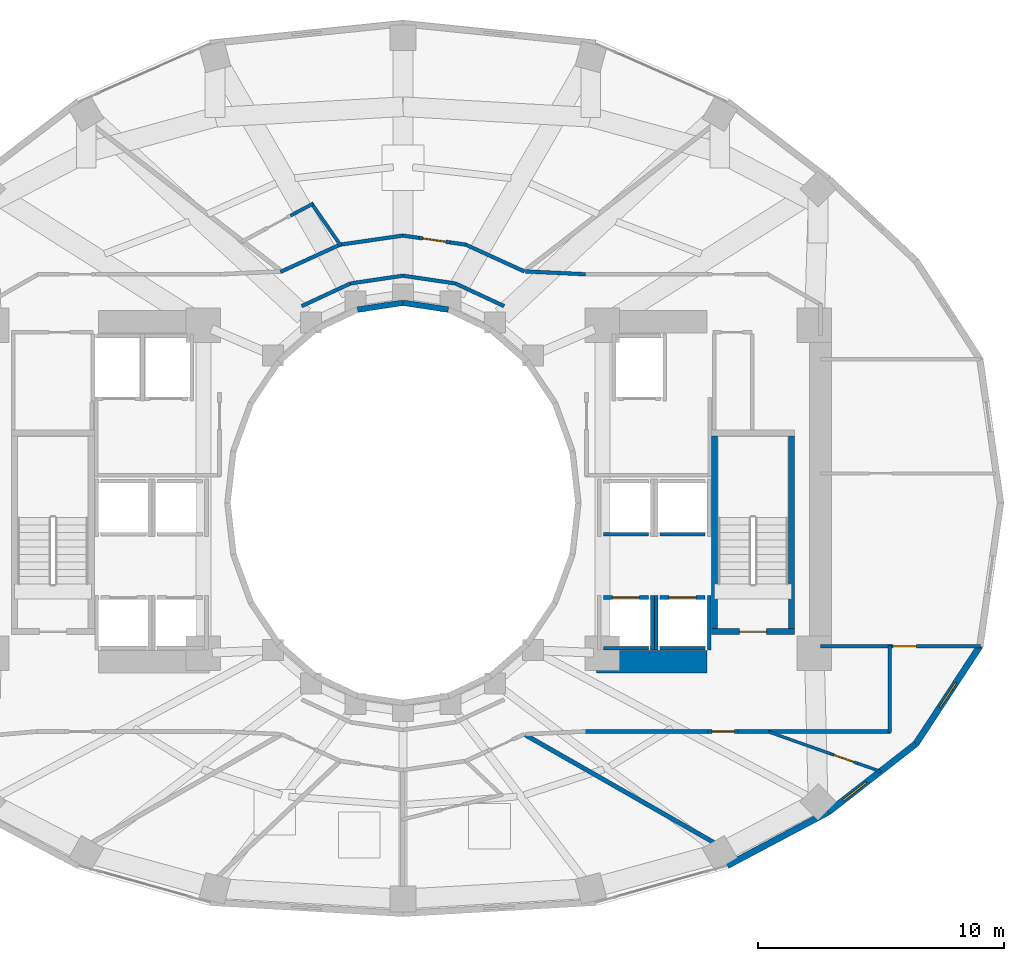
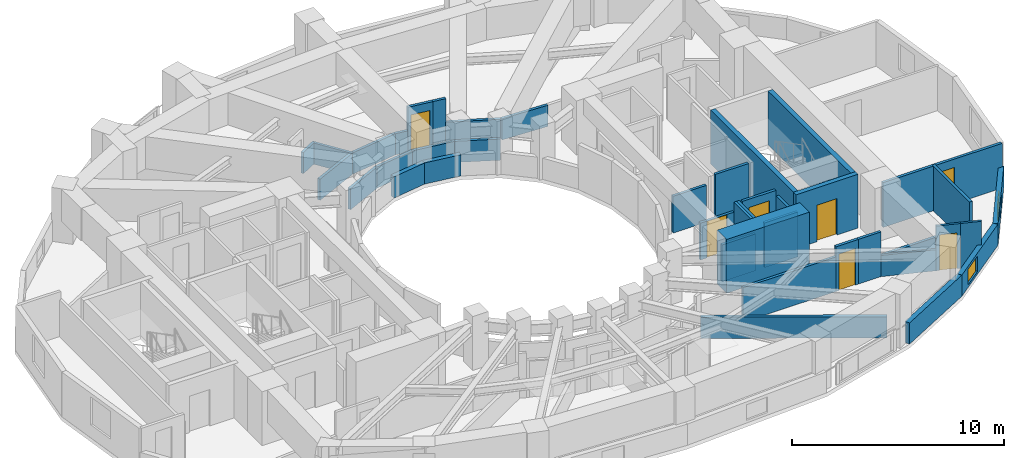
# One storey, part 11 of 16: 41 walls, 7 doors, 2 windows, 9 openings.
"""IFC4 building model written with IfcOpenShell, lengths in metres."""

from ifc_helpers import new_model, si_unit, direction, frame, frame_2d, origin, place, context, subcontext, project, spatial, rectangle, extrude, material, layer, layer_set, type_object, element, fill, save


model = new_model("IFC4")

# Units and contexts
model_context = context("Model", 3, precision=1e-05, world=origin(), true_north=direction((0.0, 1.0)))
body_context = subcontext(model_context, "Body", "Model", "MODEL_VIEW")
ifc_project = project(units=[si_unit("LENGTHUNIT", "METRE"), si_unit("AREAUNIT", "SQUARE_METRE"), si_unit("VOLUMEUNIT", "CUBIC_METRE"), si_unit("PLANEANGLEUNIT", "RADIAN"), si_unit("MASSUNIT", "GRAM", prefix="KILO")], contexts=[model_context])

# Site, building, storey
site_placement = place(None, origin())
site = spatial("IfcSite", under=ifc_project, at=site_placement, CompositionType="ELEMENT")
building_placement = place(site_placement, origin())
building = spatial("IfcBuilding", under=site, at=building_placement, Name="Solvane Sanctuary Tower", CompositionType="ELEMENT")
storey_placement = place(building_placement, frame((0.0, 0.0, 82.5)))
storey = spatial("IfcBuildingStorey", under=building, at=storey_placement, Name="L24", CompositionType="ELEMENT", Elevation=82.5)

# Walls
ifc_material_1 = material(Name="Concrete C70/85", Category="concrete")
ifc_layer_1 = layer(ifc_material_1, 0.89990234375, Name="Concrete C70/85")
ifc_layer_set_1 = layer_set([ifc_layer_1], Name="Concrete C70/85")
wall_type_1 = type_object("IfcWallType", Name="Wall W-CORE-900", PredefinedType="SHEAR", material=ifc_layer_set_1)
wall_1_placement = place(storey_placement, frame((39.85009765625, 16.550048828125, 0.0), z_axis=(0.0, 0.0, 1.0), x_axis=(1.0, 0.0, 0.0)))
element("IfcWall", 1, at=wall_1_placement, inside=storey, type_object=wall_type_1, Name="L24 Core Shear Wall EC-S", PredefinedType="SHEAR", context=body_context, shape_type="SweptSolid", body=[
    extrude(rectangle(XDim=4.5, YDim=0.89990234375, at=frame_2d((2.25, 0.0))), origin(), (0.0, 0.0, 1.0), 3.10009765625),
])
ifc_material_2 = material(Name="Acoustic Gypsum Partition Board")
ifc_layer_2 = layer(ifc_material_2, 0.14990234375, Name="Acoustic Gypsum Partition Board")
ifc_layer_set_2 = layer_set([ifc_layer_2], Name="Acoustic Gypsum Partition Board")
wall_type_2 = type_object("IfcWallType", Name="Wall W-CORR-150", PredefinedType="PARTITIONING", material=ifc_layer_set_2)
wall_2_placement = place(storey_placement, frame((36.110107421875, 30.98486328125, 0.0), z_axis=(0.0, 0.0, 1.0), x_axis=(-0.906943449489, 0.421252393975, 0.0)))
element("IfcWall", 2, at=wall_2_placement, inside=storey, type_object=wall_type_2, Name="L24 Light-Well Corridor Rim Wall N1", PredefinedType="PARTITIONING", context=body_context, shape_type="SweptSolid", body=[
    extrude(rectangle(XDim=2.18603515625, YDim=0.14990234375, at=frame_2d((1.093017578125, 0.0))), origin(), (0.0, 0.0, 1.0), 1.219970703125),
])
for number, where, z_axis, x_axis, name in (
    (3, (34.12744140625, 31.90576171875, 0.0), (0.0, 0.0, 1.0), (-0.989268584896, 0.146108408166, 0.0), "L24 Light-Well Corridor Rim Wall N2"),
    (4, (32.0, 32.219970703125, 0.0), (0.0, 0.0, 1.0), (-0.989268584896, -0.146108408166, 0.0), "L24 Light-Well Corridor Rim Wall N3"),
):
    element("IfcWall", number, at=place(storey_placement, frame(where, z_axis=z_axis, x_axis=x_axis)), inside=storey, type_object=wall_type_2, Name=name, PredefinedType="PARTITIONING", context=body_context, shape_type="SweptSolid", body=[
        extrude(rectangle(XDim=2.150634765625, YDim=0.14990234375, at=frame_2d((1.0751953125, 0.0))), origin(), (0.0, 0.0, 1.0), 1.219970703125),
    ])
wall_3_placement = place(storey_placement, frame((29.87255859375, 31.90576171875, 0.0), z_axis=(0.0, 0.0, 1.0), x_axis=(-0.906943449489, -0.421252393975, 0.0)))
element("IfcWall", 5, at=wall_3_placement, inside=storey, type_object=wall_type_2, Name="L24 Light-Well Corridor Rim Wall N4", PredefinedType="PARTITIONING", context=body_context, shape_type="SweptSolid", body=[
    extrude(rectangle(XDim=2.18603515625, YDim=0.14990234375, at=frame_2d((1.093017578125, 0.0))), origin(), (0.0, 0.0, 1.0), 1.219970703125),
])

# Wall, opening, door
wall_4_placement = place(storey_placement, frame((48.949951171875, 17.1748046875, 0.0), z_axis=(0.0, 0.0, 1.0), x_axis=(1.0, 0.0, 0.0)))
wall_4 = element("IfcWall", 6, at=wall_4_placement, inside=storey, type_object=wall_type_2, Name="L24 East Shoulder South Wall", PredefinedType="PARTITIONING", context=body_context, shape_type="SweptSolid", body=[
    extrude(rectangle(XDim=6.49169921875, YDim=0.14990234375, at=frame_2d((3.245849609375, 0.0))), origin(), (0.0, 0.0, 1.0), 2.574951171875),
])
opening_1_placement = place(wall_4_placement, frame((2.947509765625, 0.0, 0.0)))
opening_1 = element("IfcOpeningElement", 7, at=opening_1_placement, cuts=wall_4, Name="Opening D-L24-08", PredefinedType="OPENING", context=body_context, shape_type="SweptSolid", body=[
    extrude(rectangle(XDim=0.949951171875, YDim=2.10009765625, at=frame_2d((0.47509765625, 1.050048828125))), frame((0.0, 0.0849609375, 0.0), z_axis=(0.0, -1.0, 0.0), x_axis=(1.0, 0.0, 0.0)), (0.0, 0.0, 1.0), 0.169921875),
])
ifc_material_3 = material(Name="Engineered Tropical Hardwood", Category="wood")
door_type_1 = type_object("IfcDoorType", Name="Door D-ROOM-950", OperationType="NOTDEFINED", PredefinedType="DOOR", material=ifc_material_3)
door_1_placement = place(opening_1_placement, origin())
door_1 = element("IfcDoor", 8, at=door_1_placement, inside=storey, type_object=door_type_1, Name="L24 East Shoulder South Door", OperationType="SINGLE_SWING_LEFT", OverallHeight=2.10009765625, OverallWidth=0.949951171875, PredefinedType="DOOR", context=body_context, shape_type="SweptSolid", body=[
    extrude(rectangle(XDim=0.949951171875, YDim=2.10009765625, at=frame_2d((0.47509765625, 1.050048828125))), frame((0.0, 0.02490234375, 0.0), z_axis=(0.0, -1.0, 0.0), x_axis=(1.0, 0.0, 0.0)), (0.0, 0.0, 1.0), 0.050048828125),
])
fill(opening_1, door_1)

# Walls
wall_5_placement = place(storey_placement, frame((36.97998046875, 32.393798828125, 0.0), z_axis=(0.0, 0.0, 1.0), x_axis=(0.998877427952, -0.047369651964, 0.0)))
element("IfcWall", 9, at=wall_5_placement, inside=storey, type_object=wall_type_2, Name="L24 NE Corner Throat Wall", PredefinedType="PARTITIONING", context=body_context, shape_type="SweptSolid", body=[
    extrude(rectangle(XDim=2.4326171875, YDim=0.14990234375, at=frame_2d((1.21630859375, 0.0))), origin(), (0.0, 0.0, 1.0), 1.219970703125),
])
wall_6_placement = place(storey_placement, frame((51.760009765625, 13.679931640625, 0.0), z_axis=(0.0, 0.0, 1.0), x_axis=(0.0, 1.0, 0.0)))
element("IfcWall", 10, at=wall_6_placement, inside=storey, type_object=wall_type_2, Name="L24 SE Corner Closer 1", PredefinedType="PARTITIONING", context=body_context, shape_type="SweptSolid", body=[
    extrude(rectangle(XDim=3.534912109375, YDim=0.14990234375, at=frame_2d((1.767578125, 0.0))), origin(), (0.0, 0.0, 1.0), 2.574951171875),
])
wall_7_placement = place(storey_placement, frame((39.330078125, 13.719970703125, 0.0), z_axis=(0.0, 0.0, 1.0), x_axis=(1.0, 0.0, 0.0)))
element("IfcWall", 11, at=wall_7_placement, inside=storey, type_object=wall_type_2, Name="L24 SE Corner Corridor Wall", PredefinedType="PARTITIONING", context=body_context, shape_type="SweptSolid", body=[
    extrude(rectangle(XDim=5.059814453125, YDim=0.14990234375, at=frame_2d((2.52978515625, 0.0))), origin(), (0.0, 0.0, 1.0), 1.991943359375),
])

# Wall, opening, door
wall_8_placement = place(storey_placement, frame((44.389892578125, 13.719970703125, 0.0), z_axis=(0.0, 0.0, 1.0), x_axis=(1.0, 0.0, 0.0)))
wall_8 = element("IfcWall", 12, at=wall_8_placement, inside=storey, type_object=wall_type_2, Name="L24 SE Corner Corridor Wall", PredefinedType="PARTITIONING", context=body_context, shape_type="SweptSolid", body=[
    extrude(rectangle(XDim=1.22021484375, YDim=0.14990234375, at=frame_2d((0.610107421875, 0.0))), origin(), (0.0, 0.0, 1.0), 2.574951171875),
])
opening_2_placement = place(wall_8_placement, frame((0.159912109375, 0.0, 0.0)))
opening_2 = element("IfcOpeningElement", 13, at=opening_2_placement, cuts=wall_8, Name="Opening D-L24-15", PredefinedType="OPENING", context=body_context, shape_type="SweptSolid", body=[
    extrude(rectangle(XDim=0.89990234375, YDim=2.10009765625, at=frame_2d((0.449951171875, 1.050048828125))), frame((0.0, 0.0849609375, 0.0), z_axis=(0.0, -1.0, 0.0), x_axis=(1.0, 0.0, 0.0)), (0.0, 0.0, 1.0), 0.169921875),
])
door_type_2 = type_object("IfcDoorType", Name="Door D-WET-900", OperationType="NOTDEFINED", PredefinedType="DOOR", material=ifc_material_3)
door_2_placement = place(opening_2_placement, origin())
door_2 = element("IfcDoor", 14, at=door_2_placement, inside=storey, type_object=door_type_2, Name="L24 SE Corner Salon Door", OperationType="SINGLE_SWING_RIGHT", OverallHeight=2.10009765625, OverallWidth=0.89990234375, PredefinedType="DOOR", context=body_context, shape_type="SweptSolid", body=[
    extrude(rectangle(XDim=0.89990234375, YDim=2.10009765625, at=frame_2d((0.449951171875, 1.050048828125))), frame((0.0, 0.02490234375, 0.0), z_axis=(0.0, -1.0, 0.0), x_axis=(1.0, 0.0, 0.0)), (0.0, 0.0, 1.0), 0.050048828125),
])
fill(opening_2, door_2)

# Walls
wall_9_placement = place(storey_placement, frame((45.610107421875, 13.719970703125, 0.0), z_axis=(0.0, 0.0, 1.0), x_axis=(1.0, 0.0, 0.0)))
element("IfcWall", 15, at=wall_9_placement, inside=storey, type_object=wall_type_2, Name="L24 SE Corner Corridor Wall", PredefinedType="PARTITIONING", context=body_context, shape_type="SweptSolid", body=[
    extrude(rectangle(XDim=1.239990234375, YDim=0.14990234375, at=frame_2d((0.6201171875, 0.0))), origin(), (0.0, 0.0, 1.0), 2.574951171875),
])
wall_10_placement = place(storey_placement, frame((46.75, 13.719970703125, 0.0), z_axis=(0.0, 0.0, 1.0), x_axis=(1.0, 0.0, 0.0)))
element("IfcWall", 16, at=wall_10_placement, inside=storey, type_object=wall_type_2, Name="L24 SE Corner Wing Wall", PredefinedType="PARTITIONING", context=body_context, shape_type="SweptSolid", body=[
    extrude(rectangle(XDim=5.050048828125, YDim=0.14990234375, at=frame_2d((2.52490234375, 0.0))), origin(), (0.0, 0.0, 1.0), 1.219970703125),
])
wall_11_placement = place(storey_placement, frame((29.49609375, 33.501220703125, 0.0), z_axis=(0.0, 0.0, 1.0), x_axis=(-0.909730151902, -0.415200012909, 0.0)))
element("IfcWall", 17, at=wall_11_placement, inside=storey, type_object=wall_type_2, Name="L24 En-suite Inner Wall N1", PredefinedType="PARTITIONING", context=body_context, shape_type="SweptSolid", body=[
    extrude(rectangle(XDim=2.711181640625, YDim=0.14990234375, at=frame_2d((1.35546875, 0.0))), origin(), (0.0, 0.0, 1.0), 1.219970703125),
])
wall_12_placement = place(storey_placement, frame((36.930908203125, 32.392578125, 0.0), z_axis=(0.0, 0.0, 1.0), x_axis=(-0.909747571199, 0.415161843982, 0.0)))
element("IfcWall", 18, at=wall_12_placement, inside=storey, type_object=wall_type_2, Name="L24 Unit Corridor Wall N1", PredefinedType="PARTITIONING", context=body_context, shape_type="SweptSolid", body=[
    extrude(rectangle(XDim=2.625, YDim=0.14990234375, at=frame_2d((1.3125, 0.0))), origin(), (0.0, 0.0, 1.0), 1.219970703125),
])
wall_13_placement = place(storey_placement, frame((34.555908203125, 33.478271484375, 0.0), z_axis=(0.0, 0.0, 1.0), x_axis=(-0.989643848527, 0.143544603076, 0.0)))
element("IfcWall", 19, at=wall_13_placement, inside=storey, type_object=wall_type_2, Name="L24 Unit Corridor Wall N1", PredefinedType="PARTITIONING", context=body_context, shape_type="SweptSolid", body=[
    extrude(rectangle(XDim=0.659912109375, YDim=0.14990234375, at=frame_2d((0.330078125, 0.0))), origin(), (0.0, 0.0, 1.0), 2.574951171875),
])

# Wall, opening, door
wall_14_placement = place(storey_placement, frame((33.90283203125, 33.572998046875, 0.0), z_axis=(0.0, 0.0, 1.0), x_axis=(-0.989635669595, 0.143600980029, 0.0)))
wall_14 = element("IfcWall", 20, at=wall_14_placement, inside=storey, type_object=wall_type_2, Name="L24 Unit Corridor Wall N1", PredefinedType="PARTITIONING", context=body_context, shape_type="SweptSolid", body=[
    extrude(rectangle(XDim=1.27001953125, YDim=0.14990234375, at=frame_2d((0.635009765625, 0.0))), origin(), (0.0, 0.0, 1.0), 2.574951171875),
])
opening_3_placement = place(wall_14_placement, frame((0.159912109375, 0.0, 0.0)))
opening_3 = element("IfcOpeningElement", 21, at=opening_3_placement, cuts=wall_14, Name="Opening D-L24-17", PredefinedType="OPENING", context=body_context, shape_type="SweptSolid", body=[
    extrude(rectangle(XDim=0.949951171875, YDim=2.10009765625, at=frame_2d((0.47509765625, 1.050048828125))), frame((0.0, 0.0849609375, 0.0), z_axis=(0.0, -1.0, 0.0), x_axis=(1.0, 0.0, 0.0)), (0.0, 0.0, 1.0), 0.169921875),
])
door_3_placement = place(opening_3_placement, origin())
door_3 = element("IfcDoor", 22, at=door_3_placement, inside=storey, type_object=door_type_1, Name="L24 Unit Entrance Door N1", OperationType="SINGLE_SWING_RIGHT", OverallHeight=2.10009765625, OverallWidth=0.949951171875, PredefinedType="DOOR", context=body_context, shape_type="SweptSolid", body=[
    extrude(rectangle(XDim=0.949951171875, YDim=2.10009765625, at=frame_2d((0.47509765625, 1.050048828125))), frame((0.0, 0.02490234375, 0.0), z_axis=(0.0, -1.0, 0.0), x_axis=(1.0, 0.0, 0.0)), (0.0, 0.0, 1.0), 0.050048828125),
])
fill(opening_3, door_3)

# Walls
wall_15_placement = place(storey_placement, frame((32.64599609375, 33.75537109375, 0.0), z_axis=(0.0, 0.0, 1.0), x_axis=(-0.989636221287, 0.143597177958, 0.0)))
element("IfcWall", 23, at=wall_15_placement, inside=storey, type_object=wall_type_2, Name="L24 Unit Corridor Wall N1", PredefinedType="PARTITIONING", context=body_context, shape_type="SweptSolid", body=[
    extrude(rectangle(XDim=0.65966796875, YDim=0.14990234375, at=frame_2d((0.329833984375, 0.0))), origin(), (0.0, 0.0, 1.0), 1.219970703125),
])
wall_16_placement = place(storey_placement, frame((32.0068359375, 33.85009765625, 0.0), z_axis=(0.0, 0.0, 1.0), x_axis=(-0.989637894688, -0.143585644814, 0.0)))
element("IfcWall", 24, at=wall_16_placement, inside=storey, type_object=wall_type_2, Name="L24 Unit Corridor Wall N1", PredefinedType="PARTITIONING", context=body_context, shape_type="SweptSolid", body=[
    extrude(rectangle(XDim=2.589599609375, YDim=0.14990234375, at=frame_2d((1.294921875, 0.0))), origin(), (0.0, 0.0, 1.0), 1.219970703125),
])
ifc_material_4 = material(Name="Precast concrete C40/50", Category="concrete")
ifc_layer_3 = layer(ifc_material_4, 0.260009765625, Name="Precast concrete C40/50")
ifc_layer_set_3 = layer_set([ifc_layer_3], Name="Precast concrete C40/50")
wall_type_3 = type_object("IfcWallType", Name="Wall W-EXT-250", PredefinedType="STANDARD", material=ifc_layer_set_3)
wall_17_placement = place(storey_placement, frame((45.17333984375, 8.27880859375, 0.0), z_axis=(0.0, 0.0, 1.0), x_axis=(0.883668636807, 0.4681129568, 0.0)))
element("IfcWall", 25, at=wall_17_placement, inside=storey, type_object=wall_type_3, Name="L24 Ceramic-Printed Facade Wall 20", PredefinedType="STANDARD", context=body_context, shape_type="SweptSolid", body=[
    extrude(rectangle(XDim=4.63134765625, YDim=0.260009765625, at=frame_2d((2.315673828125, 0.0))), origin(), (0.0, 0.0, 1.0), 1.219970703125),
])

# Wall, opening, window
wall_18_placement = place(storey_placement, frame((49.265869140625, 10.44677734375, 0.0), z_axis=(0.0, 0.0, 1.0), x_axis=(0.789127449954, 0.614229491094, 0.0)))
wall_18 = element("IfcWall", 26, at=wall_18_placement, inside=storey, type_object=wall_type_3, Name="L24 Ceramic-Printed Facade Wall 21", PredefinedType="STANDARD", context=body_context, shape_type="SweptSolid", body=[
    extrude(rectangle(XDim=4.504638671875, YDim=0.260009765625, at=frame_2d((2.25244140625, 0.0))), origin(), (0.0, 0.0, 1.0), 1.219970703125),
])
opening_4_placement = place(wall_18_placement, frame((0.767822265625, 0.0, 0.14990234375)))
opening_4 = element("IfcOpeningElement", 27, at=opening_4_placement, cuts=wall_18, Name="Opening WN-OPER-1200", PredefinedType="OPENING", context=body_context, shape_type="SweptSolid", body=[
    extrude(rectangle(XDim=1.199951171875, YDim=0.89990234375, at=frame_2d((0.60009765625, 0.449951171875))), frame((0.0, 0.139892578125, 0.0), z_axis=(0.0, -1.0, 0.0), x_axis=(1.0, 0.0, 0.0)), (0.0, 0.0, 1.0), 0.280029296875),
])
ifc_material_5 = material(Name="Dark Ceramic-Fritted Low-E Glass", Category="glass")
window_type = type_object("IfcWindowType", Name="Window WN-OPER-1200", PartitioningType="SINGLE_PANEL", PredefinedType="WINDOW", material=ifc_material_5)
window_1_placement = place(opening_4_placement, origin())
window_1 = element("IfcWindow", 28, at=window_1_placement, inside=storey, type_object=window_type, Name="L24 Operable Facade Window 21", OverallHeight=0.89990234375, OverallWidth=1.199951171875, PartitioningType="SINGLE_PANEL", PredefinedType="WINDOW", context=body_context, shape_type="SweptSolid", body=[
    extrude(rectangle(XDim=1.199951171875, YDim=0.89990234375, at=frame_2d((0.60009765625, 0.449951171875))), frame((0.0, 0.030029296875, 0.0), z_axis=(0.0, -1.0, 0.0), x_axis=(1.0, 0.0, 0.0)), (0.0, 0.0, 1.0), 0.06005859375),
])
fill(opening_4, window_1)

wall_19_placement = place(storey_placement, frame((52.820556640625, 13.213623046875, 0.0), z_axis=(0.0, 0.0, 1.0), x_axis=(0.548283220945, 0.836292717672, 0.0)))
wall_19 = element("IfcWall", 29, at=wall_19_placement, inside=storey, type_object=wall_type_3, Name="L24 Ceramic-Printed Facade Wall 22", PredefinedType="STANDARD", context=body_context, shape_type="SweptSolid", body=[
    extrude(rectangle(XDim=4.744384765625, YDim=0.260009765625, at=frame_2d((2.3720703125, 0.0))), origin(), (0.0, 0.0, 1.0), 1.219970703125),
])
opening_5_placement = place(wall_19_placement, frame((1.772216796875, 0.0, 0.14990234375)))
opening_5 = element("IfcOpeningElement", 30, at=opening_5_placement, cuts=wall_19, Name="Opening WN-OPER-1200", PredefinedType="OPENING", context=body_context, shape_type="SweptSolid", body=[
    extrude(rectangle(XDim=1.199951171875, YDim=0.89990234375, at=frame_2d((0.60009765625, 0.449951171875))), frame((0.0, 0.139892578125, 0.0), z_axis=(0.0, -1.0, 0.0), x_axis=(1.0, 0.0, 0.0)), (0.0, 0.0, 1.0), 0.280029296875),
])
window_2_placement = place(opening_5_placement, origin())
window_2 = element("IfcWindow", 31, at=window_2_placement, inside=storey, type_object=window_type, Name="L24 Operable Facade Window 22", OverallHeight=0.89990234375, OverallWidth=1.199951171875, PartitioningType="SINGLE_PANEL", PredefinedType="WINDOW", context=body_context, shape_type="SweptSolid", body=[
    extrude(rectangle(XDim=1.199951171875, YDim=0.89990234375, at=frame_2d((0.60009765625, 0.449951171875))), frame((0.0, 0.030029296875, 0.0), z_axis=(0.0, -1.0, 0.0), x_axis=(1.0, 0.0, 0.0)), (0.0, 0.0, 1.0), 0.06005859375),
])
fill(opening_5, window_2)

# Walls
ifc_layer_4 = layer(ifc_material_4, 0.22998046875, Name="Precast concrete C40/50")
ifc_layer_set_4 = layer_set([ifc_layer_4], Name="Precast concrete C40/50")
wall_type_4 = type_object("IfcWallType", Name="Wall W-EXT-SP220", PredefinedType="STANDARD", material=ifc_layer_set_4)
for number, where, z_axis, x_axis, name in (
    (32, (33.8427734375, 30.84326171875, 0.0), (0.0, 0.0, 1.0), (-0.988901730308, 0.148571086668, 0.0), "L24 Central Light-Well Wall 05"),
    (33, (32.0, 31.1201171875, 0.0), (0.0, 0.0, 1.0), (-0.988901730308, -0.148571086668, 0.0), "L24 Central Light-Well Wall 06"),
):
    element("IfcWall", number, at=place(storey_placement, frame(where, z_axis=z_axis, x_axis=x_axis)), inside=storey, type_object=wall_type_4, Name=name, PredefinedType="STANDARD", context=body_context, shape_type="SweptSolid", body=[
        extrude(rectangle(XDim=1.863525390625, YDim=0.22998046875, at=frame_2d((0.931640625, 0.0))), origin(), (0.0, 0.0, 1.0), 1.219970703125),
    ])
ifc_layer_5 = layer(ifc_material_2, 0.1201171875, Name="Acoustic Gypsum Partition Board")
ifc_layer_set_5 = layer_set([ifc_layer_5], Name="Acoustic Gypsum Partition Board")
wall_type_5 = type_object("IfcWallType", Name="Wall W-MOV-100", PredefinedType="MOVABLE", material=ifc_layer_set_5)
wall_20_placement = place(storey_placement, frame((46.7529296875, 13.73681640625, 0.0), z_axis=(0.0, 0.0, 1.0), x_axis=(0.942609247308, -0.333897898901, 0.0)))
element("IfcWall", 34, at=wall_20_placement, inside=storey, type_object=wall_type_5, Name="L24 SE Corner Suite Partition", PredefinedType="MOVABLE", context=body_context, shape_type="SweptSolid", body=[
    extrude(rectangle(XDim=2.76025390625, YDim=0.1201171875, at=frame_2d((1.380126953125, 0.0))), origin(), (0.0, 0.0, 1.0), 1.219970703125),
])

# Wall, opening, door
wall_21_placement = place(storey_placement, frame((49.354736328125, 12.815185546875, 0.0), z_axis=(0.0, 0.0, 1.0), x_axis=(0.942677838892, -0.333704198448, 0.0)))
wall_21 = element("IfcWall", 35, at=wall_21_placement, inside=storey, type_object=wall_type_5, Name="L24 SE Corner Suite Partition", PredefinedType="MOVABLE", context=body_context, shape_type="SweptSolid", body=[
    extrude(rectangle(XDim=1.169921875, YDim=0.1201171875, at=frame_2d((0.5849609375, 0.0))), origin(), (0.0, 0.0, 1.0), 2.574951171875),
])
opening_6_placement = place(wall_21_placement, frame((0.159912109375, 0.0, 0.0)))
opening_6 = element("IfcOpeningElement", 36, at=opening_6_placement, cuts=wall_21, Name="Opening D-L24-14", PredefinedType="OPENING", context=body_context, shape_type="SweptSolid", body=[
    extrude(rectangle(XDim=0.85009765625, YDim=2.050048828125, at=frame_2d((0.425048828125, 1.02490234375))), frame((0.0, 0.070068359375, 0.0), z_axis=(0.0, -1.0, 0.0), x_axis=(1.0, 0.0, 0.0)), (0.0, 0.0, 1.0), 0.14013671875),
])
ifc_material_6 = material(Name="Architectural Stainless Steel 316", Category="steel")
door_type_3 = type_object("IfcDoorType", Name="Door D-RISER", OperationType="NOTDEFINED", PredefinedType="DOOR", material=ifc_material_6)
door_4_placement = place(opening_6_placement, origin())
door_4 = element("IfcDoor", 37, at=door_4_placement, inside=storey, type_object=door_type_3, Name="L24 SE Corner Suite Door", OperationType="SINGLE_SWING_LEFT", OverallHeight=2.050048828125, OverallWidth=0.85009765625, PredefinedType="DOOR", context=body_context, shape_type="SweptSolid", body=[
    extrude(rectangle(XDim=0.85009765625, YDim=2.050048828125, at=frame_2d((0.425048828125, 1.02490234375))), frame((0.0, 0.02490234375, 0.0), z_axis=(0.0, -1.0, 0.0), x_axis=(1.0, 0.0, 0.0)), (0.0, 0.0, 1.0), 0.050048828125),
])
fill(opening_6, door_4)

# Wall
wall_22_placement = place(storey_placement, frame((50.45751953125, 12.4248046875, 0.0), z_axis=(0.0, 0.0, 1.0), x_axis=(0.942646239309, -0.333793450381, 0.0)))
element("IfcWall", 38, at=wall_22_placement, inside=storey, type_object=wall_type_5, Name="L24 SE Corner Suite Partition", PredefinedType="MOVABLE", context=body_context, shape_type="SweptSolid", body=[
    extrude(rectangle(XDim=1.010009765625, YDim=0.1201171875, at=frame_2d((0.5048828125, 0.0))), origin(), (0.0, 0.0, 1.0), 2.574951171875),
])

# Wall, opening, door
ifc_material_7 = material(Name="Concrete C50/60", Category="concrete")
ifc_layer_6 = layer(ifc_material_7, 0.14990234375, Name="Concrete C50/60")
ifc_layer_set_6 = layer_set([ifc_layer_6], Name="Concrete C50/60")
wall_type_6 = type_object("IfcWallType", Name="Wall W-SHAFT-150", PredefinedType="SOLIDWALL", material=ifc_layer_set_6)
wall_23_placement = place(storey_placement, frame((40.139892578125, 19.159912109375, 0.0), z_axis=(0.0, 0.0, 1.0), x_axis=(1.0, 0.0, 0.0)))
wall_23 = element("IfcWall", 39, at=wall_23_placement, inside=storey, type_object=wall_type_6, Name="L24 PL-3 Lift Shaft Wall F", PredefinedType="SOLIDWALL", context=body_context, shape_type="SweptSolid", body=[
    extrude(rectangle(XDim=1.820068359375, YDim=0.14990234375, at=frame_2d((0.91015625, 0.0))), origin(), (0.0, 0.0, 1.0), 2.1201171875),
])
opening_7_placement = place(wall_23_placement, frame((0.360107421875, 0.0, 0.0)))
opening_7 = element("IfcOpeningElement", 40, at=opening_7_placement, cuts=wall_23, Name="Opening LD-L24-03", PredefinedType="OPENING", context=body_context, shape_type="SweptSolid", body=[
    extrude(rectangle(XDim=1.10009765625, YDim=2.10009765625, at=frame_2d((0.550048828125, 1.050048828125))), frame((0.0, 0.0849609375, 0.0), z_axis=(0.0, -1.0, 0.0), x_axis=(1.0, 0.0, 0.0)), (0.0, 0.0, 1.0), 0.169921875),
])
door_type_4 = type_object("IfcDoorType", Name="Door LD-PASS-1100", OperationType="NOTDEFINED", PredefinedType="DOOR", material=ifc_material_6)
door_5_placement = place(opening_7_placement, origin())
door_5 = element("IfcDoor", 41, at=door_5_placement, inside=storey, type_object=door_type_4, Name="L24 PL-3 Lift Landing Door", OperationType="DOUBLE_DOOR_SLIDING", OverallHeight=2.10009765625, OverallWidth=1.10009765625, PredefinedType="DOOR", context=body_context, shape_type="SweptSolid", body=[
    extrude(rectangle(XDim=1.10009765625, YDim=2.10009765625, at=frame_2d((0.550048828125, 1.050048828125))), frame((0.0, 0.02490234375, 0.0), z_axis=(0.0, -1.0, 0.0), x_axis=(1.0, 0.0, 0.0)), (0.0, 0.0, 1.0), 0.050048828125),
])
fill(opening_7, door_5)

# Walls
wall_24_placement = place(storey_placement, frame((40.139892578125, 17.10009765625, 0.0), z_axis=(0.0, 0.0, 1.0), x_axis=(1.0, 0.0, 0.0)))
element("IfcWall", 42, at=wall_24_placement, inside=storey, type_object=wall_type_6, Name="L24 PL-3 Lift Shaft Wall B", PredefinedType="SOLIDWALL", context=body_context, shape_type="SweptSolid", body=[
    extrude(rectangle(XDim=1.820068359375, YDim=0.14990234375, at=frame_2d((0.91015625, 0.0))), origin(), (0.0, 0.0, 1.0), 2.1201171875),
])
wall_25_placement = place(storey_placement, frame((42.1298828125, 17.02001953125, 0.0), z_axis=(0.0, 0.0, 1.0), x_axis=(0.0, 1.0, 0.0)))
element("IfcWall", 43, at=wall_25_placement, inside=storey, type_object=wall_type_6, Name="L24 PL-3 Lift Shaft Wall S2", PredefinedType="SOLIDWALL", context=body_context, shape_type="SweptSolid", body=[
    extrude(rectangle(XDim=2.219970703125, YDim=0.14990234375, at=frame_2d((1.10986328125, 0.0))), origin(), (0.0, 0.0, 1.0), 2.574951171875),
])

# Wall, opening, door
wall_26_placement = place(storey_placement, frame((42.43994140625, 19.159912109375, 0.0), z_axis=(0.0, 0.0, 1.0), x_axis=(1.0, 0.0, 0.0)))
wall_26 = element("IfcWall", 44, at=wall_26_placement, inside=storey, type_object=wall_type_6, Name="L24 PL-4 Lift Shaft Wall F", PredefinedType="SOLIDWALL", context=body_context, shape_type="SweptSolid", body=[
    extrude(rectangle(XDim=1.820068359375, YDim=0.14990234375, at=frame_2d((0.91015625, 0.0))), origin(), (0.0, 0.0, 1.0), 2.574951171875),
])
opening_8_placement = place(wall_26_placement, frame((0.360107421875, 0.0, 0.0)))
opening_8 = element("IfcOpeningElement", 45, at=opening_8_placement, cuts=wall_26, Name="Opening LD-L24-04", PredefinedType="OPENING", context=body_context, shape_type="SweptSolid", body=[
    extrude(rectangle(XDim=1.10009765625, YDim=2.10009765625, at=frame_2d((0.550048828125, 1.050048828125))), frame((0.0, 0.0849609375, 0.0), z_axis=(0.0, -1.0, 0.0), x_axis=(1.0, 0.0, 0.0)), (0.0, 0.0, 1.0), 0.169921875),
])
door_6_placement = place(opening_8_placement, origin())
door_6 = element("IfcDoor", 46, at=door_6_placement, inside=storey, type_object=door_type_4, Name="L24 PL-4 Lift Landing Door", OperationType="DOUBLE_DOOR_SLIDING", OverallHeight=2.10009765625, OverallWidth=1.10009765625, PredefinedType="DOOR", context=body_context, shape_type="SweptSolid", body=[
    extrude(rectangle(XDim=1.10009765625, YDim=2.10009765625, at=frame_2d((0.550048828125, 1.050048828125))), frame((0.0, 0.02490234375, 0.0), z_axis=(0.0, -1.0, 0.0), x_axis=(1.0, 0.0, 0.0)), (0.0, 0.0, 1.0), 0.050048828125),
])
fill(opening_8, door_6)

# Walls
wall_27_placement = place(storey_placement, frame((42.43994140625, 17.10009765625, 0.0), z_axis=(0.0, 0.0, 1.0), x_axis=(1.0, 0.0, 0.0)))
element("IfcWall", 47, at=wall_27_placement, inside=storey, type_object=wall_type_6, Name="L24 PL-4 Lift Shaft Wall B", PredefinedType="SOLIDWALL", context=body_context, shape_type="SweptSolid", body=[
    extrude(rectangle(XDim=1.820068359375, YDim=0.14990234375, at=frame_2d((0.91015625, 0.0))), origin(), (0.0, 0.0, 1.0), 2.574951171875),
])
wall_28_placement = place(storey_placement, frame((42.27001953125, 17.02001953125, 0.0), z_axis=(0.0, 0.0, 1.0), x_axis=(0.0, 1.0, 0.0)))
element("IfcWall", 48, at=wall_28_placement, inside=storey, type_object=wall_type_6, Name="L24 PL-4 Lift Shaft Wall S1", PredefinedType="SOLIDWALL", context=body_context, shape_type="SweptSolid", body=[
    extrude(rectangle(XDim=2.219970703125, YDim=0.14990234375, at=frame_2d((1.10986328125, 0.0))), origin(), (0.0, 0.0, 1.0), 2.574951171875),
])
wall_29_placement = place(storey_placement, frame((44.429931640625, 17.02001953125, 0.0), z_axis=(0.0, 0.0, 1.0), x_axis=(0.0, 1.0, 0.0)))
element("IfcWall", 49, at=wall_29_placement, inside=storey, type_object=wall_type_6, Name="L24 PL-4 Lift Shaft Wall S2", PredefinedType="SOLIDWALL", context=body_context, shape_type="SweptSolid", body=[
    extrude(rectangle(XDim=2.219970703125, YDim=0.14990234375, at=frame_2d((1.10986328125, 0.0))), origin(), (0.0, 0.0, 1.0), 2.1201171875),
])
wall_30_placement = place(storey_placement, frame((42.43994140625, 21.719970703125, 0.0), z_axis=(0.0, 0.0, 1.0), x_axis=(1.0, 0.0, 0.0)))
element("IfcWall", 50, at=wall_30_placement, inside=storey, type_object=wall_type_6, Name="L24 PM-2 Lift Shaft Wall F", PredefinedType="SOLIDWALL", context=body_context, shape_type="SweptSolid", body=[
    extrude(rectangle(XDim=1.820068359375, YDim=0.14990234375, at=frame_2d((0.91015625, 0.0))), origin(), (0.0, 0.0, 1.0), 2.574951171875),
])
wall_31_placement = place(storey_placement, frame((40.139892578125, 21.719970703125, 0.0), z_axis=(0.0, 0.0, 1.0), x_axis=(1.0, 0.0, 0.0)))
element("IfcWall", 51, at=wall_31_placement, inside=storey, type_object=wall_type_6, Name="L24 PH-2 Lift Shaft Wall F", PredefinedType="SOLIDWALL", context=body_context, shape_type="SweptSolid", body=[
    extrude(rectangle(XDim=1.820068359375, YDim=0.14990234375, at=frame_2d((0.91015625, 0.0))), origin(), (0.0, 0.0, 1.0), 2.1201171875),
])

# Wall, opening, door
ifc_layer_7 = layer(ifc_material_7, 0.25, Name="Concrete C50/60")
ifc_layer_set_7 = layer_set([ifc_layer_7], Name="Concrete C50/60")
wall_type_7 = type_object("IfcWallType", Name="Wall W-SHAFT-250", PredefinedType="SOLIDWALL", material=ifc_layer_set_7)
wall_32_placement = place(storey_placement, frame((44.52490234375, 17.77001953125, 0.0), z_axis=(0.0, 0.0, 1.0), x_axis=(1.0, 0.0, 0.0)))
wall_32 = element("IfcWall", 52, at=wall_32_placement, inside=storey, type_object=wall_type_7, Name="L24 ST-2 Load-Bearing Shaft Wall S", PredefinedType="SOLIDWALL", context=body_context, shape_type="SweptSolid", body=[
    extrude(rectangle(XDim=3.3701171875, YDim=0.25, at=frame_2d((1.68505859375, 0.0))), origin(), (0.0, 0.0, 1.0), 3.10009765625),
])
opening_9_placement = place(wall_32_placement, frame((1.135009765625, 0.0, 0.0)))
opening_9 = element("IfcOpeningElement", 53, at=opening_9_placement, cuts=wall_32, Name="Opening D-L24-02", PredefinedType="OPENING", context=body_context, shape_type="SweptSolid", body=[
    extrude(rectangle(XDim=1.10009765625, YDim=2.10009765625, at=frame_2d((0.550048828125, 1.050048828125))), frame((0.0, 0.135009765625, 0.0), z_axis=(0.0, -1.0, 0.0), x_axis=(1.0, 0.0, 0.0)), (0.0, 0.0, 1.0), 0.27001953125),
])
door_type_5 = type_object("IfcDoorType", Name="Door D-STAIR", OperationType="NOTDEFINED", PredefinedType="DOOR", material=ifc_material_6)
door_7_placement = place(opening_9_placement, origin())
door_7 = element("IfcDoor", 54, at=door_7_placement, inside=storey, type_object=door_type_5, Name="L24 ST-2 Exit Stair Fire Door", OperationType="SINGLE_SWING_LEFT", OverallHeight=2.10009765625, OverallWidth=1.10009765625, PredefinedType="DOOR", context=body_context, shape_type="SweptSolid", body=[
    extrude(rectangle(XDim=1.10009765625, YDim=2.10009765625, at=frame_2d((0.550048828125, 1.050048828125))), frame((0.0, 0.02490234375, 0.0), z_axis=(0.0, -1.0, 0.0), x_axis=(1.0, 0.0, 0.0)), (0.0, 0.0, 1.0), 0.050048828125),
])
fill(opening_9, door_7)

# Walls
for number, where, z_axis, x_axis, name in (
    (55, (44.64990234375, 17.89501953125, 0.0), (0.0, 0.0, 1.0), (0.0, 1.0, 0.0), "L24 ST-2 Load-Bearing Shaft Wall W"),
    (56, (47.77001953125, 17.89501953125, 0.0), (0.0, 0.0, 1.0), (0.0, 1.0, 0.0), "L24 ST-2 Load-Bearing Shaft Wall E"),
):
    element("IfcWall", number, at=place(storey_placement, frame(where, z_axis=z_axis, x_axis=x_axis)), inside=storey, type_object=wall_type_7, Name=name, PredefinedType="SOLIDWALL", context=body_context, shape_type="SweptSolid", body=[
        extrude(rectangle(XDim=7.81005859375, YDim=0.25, at=frame_2d((3.905029296875, 0.0))), origin(), (0.0, 0.0, 1.0), 3.10009765625),
    ])
ifc_layer_8 = layer(ifc_material_2, 0.179931640625, Name="Acoustic Gypsum Partition Board")
ifc_layer_set_8 = layer_set([ifc_layer_8], Name="Acoustic Gypsum Partition Board")
wall_type_8 = type_object("IfcWallType", Name="Wall W-UNIT-180", PredefinedType="PARTITIONING", material=ifc_layer_set_8)
wall_33_placement = place(storey_placement, frame((36.972900390625, 13.576416015625, 0.0), z_axis=(0.0, 0.0, 1.0), x_axis=(0.868484076301, -0.495717065685, 0.0)))
element("IfcWall", 57, at=wall_33_placement, inside=storey, type_object=wall_type_8, Name="L24 Radial Compartment Wall 300", PredefinedType="PARTITIONING", context=body_context, shape_type="SweptSolid", body=[
    extrude(rectangle(XDim=8.78857421875, YDim=0.179931640625, at=frame_2d((4.394287109375, 0.0))), origin(), (0.0, 0.0, 1.0), 1.219970703125),
])
ifc_layer_9 = layer(ifc_material_2, 0.139892578125, Name="Acoustic Gypsum Partition Board")
ifc_layer_set_9 = layer_set([ifc_layer_9], Name="Acoustic Gypsum Partition Board")
wall_type_9 = type_object("IfcWallType", Name="Wall W-WET-140", PredefinedType="PLUMBINGWALL", material=ifc_layer_set_9)
wall_34_placement = place(storey_placement, frame((29.47900390625, 33.439208984375, 0.0), z_axis=(0.0, 0.0, 1.0), x_axis=(-0.570110374441, 0.821568110965, 0.0)))
element("IfcWall", 58, at=wall_34_placement, inside=storey, type_object=wall_type_9, Name="L24 En-suite Side Partition N1", PredefinedType="PLUMBINGWALL", context=body_context, shape_type="SweptSolid", body=[
    extrude(rectangle(XDim=2.10009765625, YDim=0.139892578125, at=frame_2d((1.050048828125, 0.0))), origin(), (0.0, 0.0, 1.0), 1.219970703125),
])
wall_35_placement = place(storey_placement, frame((28.3544921875, 35.14697265625, 0.0), z_axis=(0.0, 0.0, 1.0), x_axis=(-0.882333369538, -0.470624930279, 0.0)))
element("IfcWall", 59, at=wall_35_placement, inside=storey, type_object=wall_type_9, Name="L24 En-suite Bedroom Wall N1", PredefinedType="PLUMBINGWALL", context=body_context, shape_type="SweptSolid", body=[
    extrude(rectangle(XDim=1.035888671875, YDim=0.139892578125, at=frame_2d((0.51806640625, 0.0))), origin(), (0.0, 0.0, 1.0), 1.219970703125),
])

save(model, "model.ifc")
